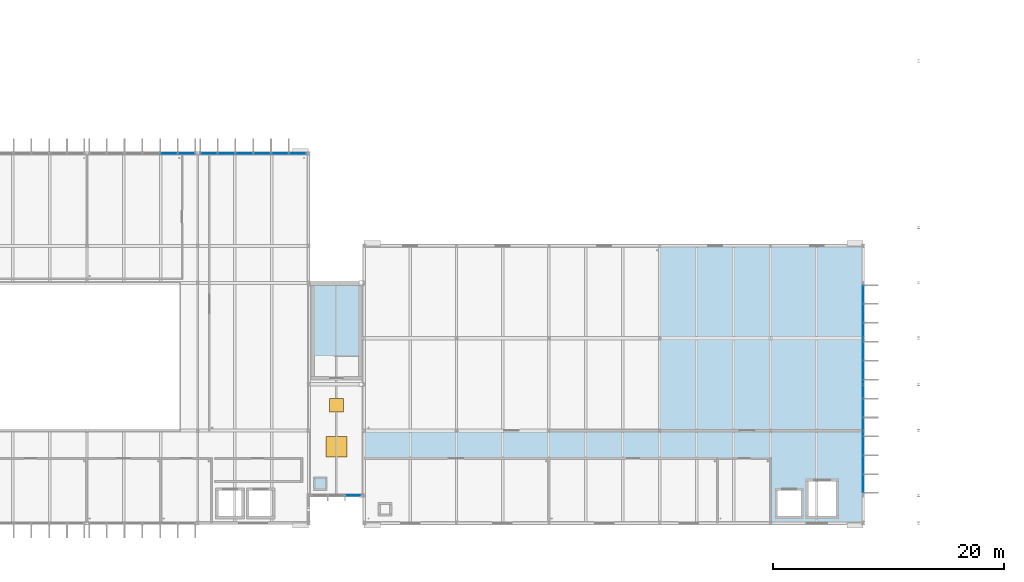
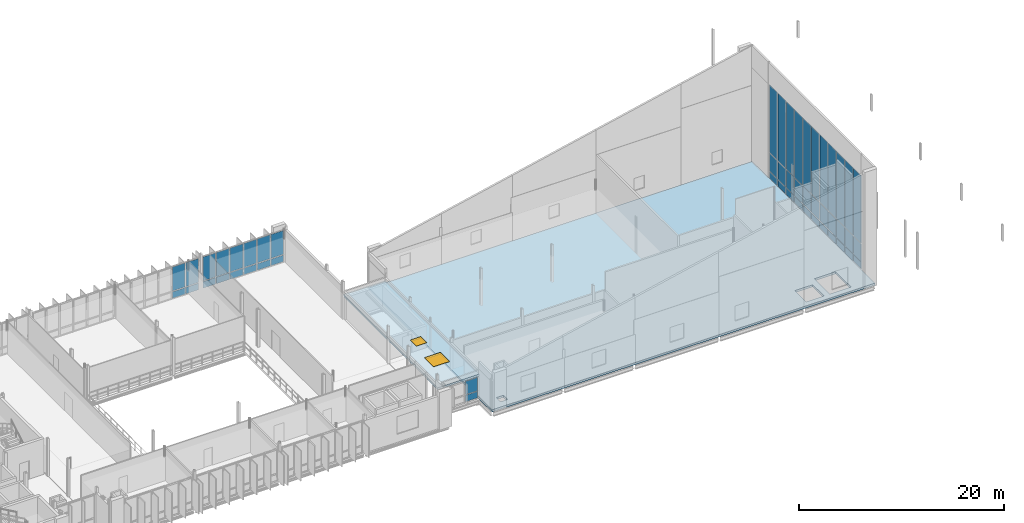
# One storey, part 30 of 59: 51 plates, 2 slabs, 2 windows, 2 openings, 4 elements without a shape of their own.
"""IFC4 building model written with IfcOpenShell, lengths in metres."""

from ifc_helpers import new_model, si_unit, direction, frame, origin, origin_2d, place, context, subcontext, project, spatial, polyline, rectangle, outline, extrude, material, layer, layer_set, type_object, element, fill, aggregate, save


model = new_model("IFC4")

# Units and contexts
model_context = context("Model", 3, precision=1e-05, world=origin(), true_north=direction((0.0, 1.0)))
body_context = subcontext(model_context, "Body", "Model", "MODEL_VIEW")
ifc_project = project(units=[si_unit("LENGTHUNIT", "METRE"), si_unit("AREAUNIT", "SQUARE_METRE"), si_unit("VOLUMEUNIT", "CUBIC_METRE"), si_unit("PLANEANGLEUNIT", "RADIAN"), si_unit("MASSUNIT", "GRAM", prefix="KILO")], contexts=[model_context])

# Site, building, storey
site_placement = place(None, origin())
site = spatial("IfcSite", under=ifc_project, at=site_placement, CompositionType="ELEMENT")
building_placement = place(site_placement, origin())
building = spatial("IfcBuilding", under=site, at=building_placement, Name="Dunescarp Central Library", CompositionType="ELEMENT")
storey_placement = place(building_placement, frame((0.0, 0.0, 18.60009765625)))
storey = spatial("IfcBuildingStorey", under=building, at=storey_placement, Name="L04", CompositionType="ELEMENT", Elevation=18.60009765625)

# Curtain wall, plates
ifc_material_1 = material(Name="Marine-grade anodised aluminium 6063-T6", Category="aluminium")
curtain_wall_type_1 = type_object("IfcCurtainWallType", Name="ARC-CW-STICK", PredefinedType="NOTDEFINED", material=ifc_material_1)
curtain_wall_1_placement = place(storey_placement, origin())
curtain_wall_1 = element("IfcCurtainWall", 1, at=curtain_wall_1_placement, inside=storey, type_object=curtain_wall_type_1, Name="L04 curtain wall CW-V2-072", PredefinedType="NOTDEFINED")
ifc_material_2 = material(Name="Solar-control laminated double glazing", Category="glass")
ifc_layer_1 = layer(ifc_material_2, 0.028076171875)
ifc_layer_set_1 = layer_set([ifc_layer_1], Name="Solar-control laminated double glazing")
plate_type_1 = type_object("IfcPlateType", Name="ARC-PLT-GLZ28", PredefinedType="CURTAIN_PANEL", material=ifc_layer_set_1)
plate_1_placement = place(storey_placement, frame((64.71240234375, 36.800048828125, 0.93994140625), z_axis=(0.0, 0.0, 1.0), x_axis=(1.0, 0.0, 0.0)))
plate_1 = element("IfcPlate", 2, at=plate_1_placement, type_object=plate_type_1, Name="CW-V2-072 panel 5.2", PredefinedType="CURTAIN_PANEL", context=body_context, shape_type="SweptSolid", body=[
    extrude(rectangle(XDim=1.461669921875, YDim=0.028076171875, at=origin_2d()), origin(), (0.0, 0.0, 1.0), 2.85888671875),
])
plate_2_placement = place(storey_placement, frame((66.234130859375, 36.800048828125, 0.93994140625), z_axis=(0.0, 0.0, 1.0), x_axis=(1.0, 0.0, 0.0)))
plate_2 = element("IfcPlate", 3, at=plate_2_placement, type_object=plate_type_1, Name="CW-V2-072 panel 6.2", PredefinedType="CURTAIN_PANEL", context=body_context, shape_type="SweptSolid", body=[
    extrude(rectangle(XDim=1.421630859375, YDim=0.028076171875, at=origin_2d()), origin(), (0.0, 0.0, 1.0), 2.85888671875),
])

curtain_wall_2_placement = place(storey_placement, origin())
curtain_wall_2 = element("IfcCurtainWall", 4, at=curtain_wall_2_placement, inside=storey, type_object=curtain_wall_type_1, Name="L04 curtain wall CW-V2-073", PredefinedType="NOTDEFINED")
plate_3_placement = place(storey_placement, frame((68.165771484375, 36.800048828125, 0.93994140625), z_axis=(0.0, 0.0, 1.0), x_axis=(1.0, 0.0, 0.0)))
plate_3 = element("IfcPlate", 5, at=plate_3_placement, type_object=plate_type_1, Name="CW-V2-073 panel 1.2", PredefinedType="CURTAIN_PANEL", context=body_context, shape_type="SweptSolid", body=[
    extrude(rectangle(XDim=1.421630859375, YDim=0.028076171875, at=origin_2d()), origin(), (0.0, 0.0, 1.0), 2.85888671875),
])
plate_4_placement = place(storey_placement, frame((69.6875, 36.800048828125, 0.93994140625), z_axis=(0.0, 0.0, 1.0), x_axis=(1.0, 0.0, 0.0)))
plate_4 = element("IfcPlate", 6, at=plate_4_placement, type_object=plate_type_1, Name="CW-V2-073 panel 2.2", PredefinedType="CURTAIN_PANEL", context=body_context, shape_type="SweptSolid", body=[
    extrude(rectangle(XDim=1.461669921875, YDim=0.028076171875, at=origin_2d()), origin(), (0.0, 0.0, 1.0), 2.85888671875),
])
plate_5_placement = place(storey_placement, frame((71.229248046875, 36.800048828125, 0.93994140625), z_axis=(0.0, 0.0, 1.0), x_axis=(1.0, 0.0, 0.0)))
plate_5 = element("IfcPlate", 7, at=plate_5_placement, type_object=plate_type_1, Name="CW-V2-073 panel 3.2", PredefinedType="CURTAIN_PANEL", context=body_context, shape_type="SweptSolid", body=[
    extrude(rectangle(XDim=1.461669921875, YDim=0.028076171875, at=origin_2d()), origin(), (0.0, 0.0, 1.0), 2.85888671875),
])
plate_6_placement = place(storey_placement, frame((72.770751953125, 36.800048828125, 0.93994140625), z_axis=(0.0, 0.0, 1.0), x_axis=(1.0, 0.0, 0.0)))
plate_6 = element("IfcPlate", 8, at=plate_6_placement, type_object=plate_type_1, Name="CW-V2-073 panel 4.2", PredefinedType="CURTAIN_PANEL", context=body_context, shape_type="SweptSolid", body=[
    extrude(rectangle(XDim=1.461669921875, YDim=0.028076171875, at=origin_2d()), origin(), (0.0, 0.0, 1.0), 2.85888671875),
])
plate_7_placement = place(storey_placement, frame((74.3125, 36.800048828125, 0.93994140625), z_axis=(0.0, 0.0, 1.0), x_axis=(1.0, 0.0, 0.0)))
plate_7 = element("IfcPlate", 9, at=plate_7_placement, type_object=plate_type_1, Name="CW-V2-073 panel 5.2", PredefinedType="CURTAIN_PANEL", context=body_context, shape_type="SweptSolid", body=[
    extrude(rectangle(XDim=1.461669921875, YDim=0.028076171875, at=origin_2d()), origin(), (0.0, 0.0, 1.0), 2.85888671875),
])
plate_8_placement = place(storey_placement, frame((75.834228515625, 36.800048828125, 0.93994140625), z_axis=(0.0, 0.0, 1.0), x_axis=(1.0, 0.0, 0.0)))
plate_8 = element("IfcPlate", 10, at=plate_8_placement, type_object=plate_type_1, Name="CW-V2-073 panel 6.2", PredefinedType="CURTAIN_PANEL", context=body_context, shape_type="SweptSolid", body=[
    extrude(rectangle(XDim=1.421630859375, YDim=0.028076171875, at=origin_2d()), origin(), (0.0, 0.0, 1.0), 2.85888671875),
])

curtain_wall_3_placement = place(storey_placement, origin())
curtain_wall_3 = element("IfcCurtainWall", 11, at=curtain_wall_3_placement, inside=storey, type_object=curtain_wall_type_1, Name="L04 curtain wall CW-V3-108", PredefinedType="NOTDEFINED")
plate_9_placement = place(storey_placement, frame((124.800048828125, 24.58447265625, 0.93994140625), z_axis=(0.0, 0.0, 1.0), x_axis=(0.0, -1.0, 0.0)))
plate_9 = element("IfcPlate", 12, at=plate_9_placement, type_object=plate_type_1, Name="CW-V3-108 panel 1.2", PredefinedType="CURTAIN_PANEL", context=body_context, shape_type="SweptSolid", body=[
    extrude(rectangle(XDim=1.52099609375, YDim=0.028076171875, at=origin_2d()), origin(), (0.0, 0.0, 1.0), 2.1201171875),
])
plate_10_placement = place(storey_placement, frame((124.800048828125, 24.58447265625, 3.14013671875), z_axis=(0.0, 0.0, 1.0), x_axis=(0.0, -1.0, 0.0)))
plate_10 = element("IfcPlate", 13, at=plate_10_placement, type_object=plate_type_1, Name="CW-V3-108 panel 1.3", PredefinedType="CURTAIN_PANEL", context=body_context, shape_type="SweptSolid", body=[
    extrude(rectangle(XDim=1.52099609375, YDim=0.028076171875, at=origin_2d()), origin(), (0.0, 0.0, 1.0), 8.073974609375),
])
plate_11_placement = place(storey_placement, frame((124.800048828125, 22.963623046875, 0.93994140625), z_axis=(0.0, 0.0, 1.0), x_axis=(0.0, -1.0, 0.0)))
plate_11 = element("IfcPlate", 14, at=plate_11_placement, type_object=plate_type_1, Name="CW-V3-108 panel 2.2", PredefinedType="CURTAIN_PANEL", context=body_context, shape_type="SweptSolid", body=[
    extrude(rectangle(XDim=1.560791015625, YDim=0.028076171875, at=origin_2d()), origin(), (0.0, 0.0, 1.0), 2.1201171875),
])
plate_12_placement = place(storey_placement, frame((124.800048828125, 22.963623046875, 3.14013671875), z_axis=(0.0, 0.0, 1.0), x_axis=(0.0, -1.0, 0.0)))
plate_12 = element("IfcPlate", 15, at=plate_12_placement, type_object=plate_type_1, Name="CW-V3-108 panel 2.3", PredefinedType="CURTAIN_PANEL", context=body_context, shape_type="SweptSolid", body=[
    extrude(rectangle(XDim=1.560791015625, YDim=0.028076171875, at=origin_2d()), origin(), (0.0, 0.0, 1.0), 8.073974609375),
])
plate_13_placement = place(storey_placement, frame((124.800048828125, 21.32275390625, 0.93994140625), z_axis=(0.0, 0.0, 1.0), x_axis=(0.0, -1.0, 0.0)))
plate_13 = element("IfcPlate", 16, at=plate_13_placement, type_object=plate_type_1, Name="CW-V3-108 panel 3.2", PredefinedType="CURTAIN_PANEL", context=body_context, shape_type="SweptSolid", body=[
    extrude(rectangle(XDim=1.560791015625, YDim=0.028076171875, at=origin_2d()), origin(), (0.0, 0.0, 1.0), 2.1201171875),
])
plate_14_placement = place(storey_placement, frame((124.800048828125, 21.32275390625, 3.14013671875), z_axis=(0.0, 0.0, 1.0), x_axis=(0.0, -1.0, 0.0)))
plate_14 = element("IfcPlate", 17, at=plate_14_placement, type_object=plate_type_1, Name="CW-V3-108 panel 3.3", PredefinedType="CURTAIN_PANEL", context=body_context, shape_type="SweptSolid", body=[
    extrude(rectangle(XDim=1.560791015625, YDim=0.028076171875, at=origin_2d()), origin(), (0.0, 0.0, 1.0), 8.073974609375),
])
plate_15_placement = place(storey_placement, frame((124.800048828125, 19.681884765625, 0.93994140625), z_axis=(0.0, 0.0, 1.0), x_axis=(0.0, -1.0, 0.0)))
plate_15 = element("IfcPlate", 18, at=plate_15_placement, type_object=plate_type_1, Name="CW-V3-108 panel 4.2", PredefinedType="CURTAIN_PANEL", context=body_context, shape_type="SweptSolid", body=[
    extrude(rectangle(XDim=1.560791015625, YDim=0.028076171875, at=origin_2d()), origin(), (0.0, 0.0, 1.0), 2.1201171875),
])
plate_16_placement = place(storey_placement, frame((124.800048828125, 19.681884765625, 3.14013671875), z_axis=(0.0, 0.0, 1.0), x_axis=(0.0, -1.0, 0.0)))
plate_16 = element("IfcPlate", 19, at=plate_16_placement, type_object=plate_type_1, Name="CW-V3-108 panel 4.3", PredefinedType="CURTAIN_PANEL", context=body_context, shape_type="SweptSolid", body=[
    extrude(rectangle(XDim=1.560791015625, YDim=0.028076171875, at=origin_2d()), origin(), (0.0, 0.0, 1.0), 8.073974609375),
])
plate_17_placement = place(storey_placement, frame((124.800048828125, 18.041015625, 0.93994140625), z_axis=(0.0, 0.0, 1.0), x_axis=(0.0, -1.0, 0.0)))
plate_17 = element("IfcPlate", 20, at=plate_17_placement, type_object=plate_type_1, Name="CW-V3-108 panel 5.2", PredefinedType="CURTAIN_PANEL", context=body_context, shape_type="SweptSolid", body=[
    extrude(rectangle(XDim=1.560791015625, YDim=0.028076171875, at=origin_2d()), origin(), (0.0, 0.0, 1.0), 2.1201171875),
])
plate_18_placement = place(storey_placement, frame((124.800048828125, 18.041015625, 3.14013671875), z_axis=(0.0, 0.0, 1.0), x_axis=(0.0, -1.0, 0.0)))
plate_18 = element("IfcPlate", 21, at=plate_18_placement, type_object=plate_type_1, Name="CW-V3-108 panel 5.3", PredefinedType="CURTAIN_PANEL", context=body_context, shape_type="SweptSolid", body=[
    extrude(rectangle(XDim=1.560791015625, YDim=0.028076171875, at=origin_2d()), origin(), (0.0, 0.0, 1.0), 8.073974609375),
])
plate_19_placement = place(storey_placement, frame((124.800048828125, 16.39990234375, 0.93994140625), z_axis=(0.0, 0.0, 1.0), x_axis=(0.0, -1.0, 0.0)))
plate_19 = element("IfcPlate", 22, at=plate_19_placement, type_object=plate_type_1, Name="CW-V3-108 panel 6.2", PredefinedType="CURTAIN_PANEL", context=body_context, shape_type="SweptSolid", body=[
    extrude(rectangle(XDim=1.560791015625, YDim=0.028076171875, at=origin_2d()), origin(), (0.0, 0.0, 1.0), 2.1201171875),
])
plate_20_placement = place(storey_placement, frame((124.800048828125, 16.39990234375, 3.14013671875), z_axis=(0.0, 0.0, 1.0), x_axis=(0.0, -1.0, 0.0)))
plate_20 = element("IfcPlate", 23, at=plate_20_placement, type_object=plate_type_1, Name="CW-V3-108 panel 6.3", PredefinedType="CURTAIN_PANEL", context=body_context, shape_type="SweptSolid", body=[
    extrude(rectangle(XDim=1.560791015625, YDim=0.028076171875, at=origin_2d()), origin(), (0.0, 0.0, 1.0), 8.073974609375),
])
plate_21_placement = place(storey_placement, frame((124.800048828125, 14.759033203125, 0.93994140625), z_axis=(0.0, 0.0, 1.0), x_axis=(0.0, -1.0, 0.0)))
plate_21 = element("IfcPlate", 24, at=plate_21_placement, type_object=plate_type_1, Name="CW-V3-108 panel 7.2", PredefinedType="CURTAIN_PANEL", context=body_context, shape_type="SweptSolid", body=[
    extrude(rectangle(XDim=1.560791015625, YDim=0.028076171875, at=origin_2d()), origin(), (0.0, 0.0, 1.0), 2.1201171875),
])
plate_22_placement = place(storey_placement, frame((124.800048828125, 14.759033203125, 3.14013671875), z_axis=(0.0, 0.0, 1.0), x_axis=(0.0, -1.0, 0.0)))
plate_22 = element("IfcPlate", 25, at=plate_22_placement, type_object=plate_type_1, Name="CW-V3-108 panel 7.3", PredefinedType="CURTAIN_PANEL", context=body_context, shape_type="SweptSolid", body=[
    extrude(rectangle(XDim=1.560791015625, YDim=0.028076171875, at=origin_2d()), origin(), (0.0, 0.0, 1.0), 8.073974609375),
])
plate_23_placement = place(storey_placement, frame((124.800048828125, 13.1181640625, 0.93994140625), z_axis=(0.0, 0.0, 1.0), x_axis=(0.0, -1.0, 0.0)))
plate_23 = element("IfcPlate", 26, at=plate_23_placement, type_object=plate_type_1, Name="CW-V3-108 panel 8.2", PredefinedType="CURTAIN_PANEL", context=body_context, shape_type="SweptSolid", body=[
    extrude(rectangle(XDim=1.560791015625, YDim=0.028076171875, at=origin_2d()), origin(), (0.0, 0.0, 1.0), 2.1201171875),
])
plate_24_placement = place(storey_placement, frame((124.800048828125, 13.1181640625, 3.14013671875), z_axis=(0.0, 0.0, 1.0), x_axis=(0.0, -1.0, 0.0)))
plate_24 = element("IfcPlate", 27, at=plate_24_placement, type_object=plate_type_1, Name="CW-V3-108 panel 8.3", PredefinedType="CURTAIN_PANEL", context=body_context, shape_type="SweptSolid", body=[
    extrude(rectangle(XDim=1.560791015625, YDim=0.028076171875, at=origin_2d()), origin(), (0.0, 0.0, 1.0), 8.073974609375),
])
plate_25_placement = place(storey_placement, frame((124.800048828125, 11.477294921875, 0.93994140625), z_axis=(0.0, 0.0, 1.0), x_axis=(0.0, -1.0, 0.0)))
plate_25 = element("IfcPlate", 28, at=plate_25_placement, type_object=plate_type_1, Name="CW-V3-108 panel 9.2", PredefinedType="CURTAIN_PANEL", context=body_context, shape_type="SweptSolid", body=[
    extrude(rectangle(XDim=1.560791015625, YDim=0.028076171875, at=origin_2d()), origin(), (0.0, 0.0, 1.0), 2.1201171875),
])
plate_26_placement = place(storey_placement, frame((124.800048828125, 11.477294921875, 3.14013671875), z_axis=(0.0, 0.0, 1.0), x_axis=(0.0, -1.0, 0.0)))
plate_26 = element("IfcPlate", 29, at=plate_26_placement, type_object=plate_type_1, Name="CW-V3-108 panel 9.3", PredefinedType="CURTAIN_PANEL", context=body_context, shape_type="SweptSolid", body=[
    extrude(rectangle(XDim=1.560791015625, YDim=0.028076171875, at=origin_2d()), origin(), (0.0, 0.0, 1.0), 8.073974609375),
])
plate_27_placement = place(storey_placement, frame((124.800048828125, 9.83642578125, 0.93994140625), z_axis=(0.0, 0.0, 1.0), x_axis=(0.0, -1.0, 0.0)))
plate_27 = element("IfcPlate", 30, at=plate_27_placement, type_object=plate_type_1, Name="CW-V3-108 panel 10.2", PredefinedType="CURTAIN_PANEL", context=body_context, shape_type="SweptSolid", body=[
    extrude(rectangle(XDim=1.560791015625, YDim=0.028076171875, at=origin_2d()), origin(), (0.0, 0.0, 1.0), 2.1201171875),
])
plate_28_placement = place(storey_placement, frame((124.800048828125, 9.83642578125, 3.14013671875), z_axis=(0.0, 0.0, 1.0), x_axis=(0.0, -1.0, 0.0)))
plate_28 = element("IfcPlate", 31, at=plate_28_placement, type_object=plate_type_1, Name="CW-V3-108 panel 10.3", PredefinedType="CURTAIN_PANEL", context=body_context, shape_type="SweptSolid", body=[
    extrude(rectangle(XDim=1.560791015625, YDim=0.028076171875, at=origin_2d()), origin(), (0.0, 0.0, 1.0), 8.073974609375),
])
plate_29_placement = place(storey_placement, frame((124.800048828125, 8.215576171875, 0.93994140625), z_axis=(0.0, 0.0, 1.0), x_axis=(0.0, -1.0, 0.0)))
plate_29 = element("IfcPlate", 32, at=plate_29_placement, type_object=plate_type_1, Name="CW-V3-108 panel 11.2", PredefinedType="CURTAIN_PANEL", context=body_context, shape_type="SweptSolid", body=[
    extrude(rectangle(XDim=1.52099609375, YDim=0.028076171875, at=origin_2d()), origin(), (0.0, 0.0, 1.0), 2.1201171875),
])
plate_30_placement = place(storey_placement, frame((124.800048828125, 8.215576171875, 3.14013671875), z_axis=(0.0, 0.0, 1.0), x_axis=(0.0, -1.0, 0.0)))
plate_30 = element("IfcPlate", 33, at=plate_30_placement, type_object=plate_type_1, Name="CW-V3-108 panel 11.3", PredefinedType="CURTAIN_PANEL", context=body_context, shape_type="SweptSolid", body=[
    extrude(rectangle(XDim=1.52099609375, YDim=0.028076171875, at=origin_2d()), origin(), (0.0, 0.0, 1.0), 8.073974609375),
])

# Curtain wall, plate
curtain_wall_type_2 = type_object("IfcCurtainWallType", Name="ARC-CW-LINK", PredefinedType="USERDEFINED", material=ifc_material_1)
curtain_wall_4_placement = place(storey_placement, origin())
curtain_wall_4 = element("IfcCurtainWall", 34, at=curtain_wall_4_placement, inside=storey, type_object=curtain_wall_type_2, Name="L04 curtain wall CW-GL2-S-L04", ObjectType="GLAZED_LINK_WALL", PredefinedType="USERDEFINED")
plate_31_placement = place(storey_placement, frame((80.663330078125, 7.199951171875, 0.93994140625), z_axis=(0.0, 0.0, 1.0), x_axis=(-1.0, 0.0, 0.0)))
plate_31 = element("IfcPlate", 35, at=plate_31_placement, type_object=plate_type_1, Name="CW-GL2-S-L04 panel 1.2", PredefinedType="CURTAIN_PANEL", context=body_context, shape_type="SweptSolid", body=[
    extrude(rectangle(XDim=1.36328125, YDim=0.028076171875, at=origin_2d()), origin(), (0.0, 0.0, 1.0), 1.580078125),
])

# Plate
ifc_layer_2 = layer(ifc_material_1, 0.050048828125)
ifc_layer_set_2 = layer_set([ifc_layer_2], Name="Marine-grade anodised aluminium 6063-T6")
plate_type_2 = type_object("IfcPlateType", Name="ARC-PLT-SPN50", PredefinedType="SHEET", material=ifc_layer_set_2)
plate_32_placement = place(storey_placement, frame((64.71240234375, 36.800048828125, 0.080078125), z_axis=(0.0, 0.0, 1.0), x_axis=(1.0, 0.0, 0.0)))
plate_32 = element("IfcPlate", 36, at=plate_32_placement, type_object=plate_type_2, Name="CW-V2-072 panel 5.1", PredefinedType="SHEET", context=body_context, shape_type="SweptSolid", body=[
    extrude(rectangle(XDim=1.461669921875, YDim=0.050048828125, at=origin_2d()), origin(), (0.0, 0.0, 1.0), 0.780029296875),
])

plate_33_placement = place(storey_placement, frame((66.234130859375, 36.800048828125, 0.080078125), z_axis=(0.0, 0.0, 1.0), x_axis=(1.0, 0.0, 0.0)))
plate_33 = element("IfcPlate", 37, at=plate_33_placement, type_object=plate_type_2, Name="CW-V2-072 panel 6.1", PredefinedType="SHEET", context=body_context, shape_type="SweptSolid", body=[
    extrude(rectangle(XDim=1.421630859375, YDim=0.050048828125, at=origin_2d()), origin(), (0.0, 0.0, 1.0), 0.780029296875),
])

aggregate(curtain_wall_1, [plate_32, plate_1, plate_33, plate_2])

plate_34_placement = place(storey_placement, frame((68.165771484375, 36.800048828125, 0.080078125), z_axis=(0.0, 0.0, 1.0), x_axis=(1.0, 0.0, 0.0)))
plate_34 = element("IfcPlate", 38, at=plate_34_placement, type_object=plate_type_2, Name="CW-V2-073 panel 1.1", PredefinedType="SHEET", context=body_context, shape_type="SweptSolid", body=[
    extrude(rectangle(XDim=1.421630859375, YDim=0.050048828125, at=origin_2d()), origin(), (0.0, 0.0, 1.0), 0.780029296875),
])

plate_35_placement = place(storey_placement, frame((69.6875, 36.800048828125, 0.080078125), z_axis=(0.0, 0.0, 1.0), x_axis=(1.0, 0.0, 0.0)))
plate_35 = element("IfcPlate", 39, at=plate_35_placement, type_object=plate_type_2, Name="CW-V2-073 panel 2.1", PredefinedType="SHEET", context=body_context, shape_type="SweptSolid", body=[
    extrude(rectangle(XDim=1.461669921875, YDim=0.050048828125, at=origin_2d()), origin(), (0.0, 0.0, 1.0), 0.780029296875),
])

plate_36_placement = place(storey_placement, frame((71.229248046875, 36.800048828125, 0.080078125), z_axis=(0.0, 0.0, 1.0), x_axis=(1.0, 0.0, 0.0)))
plate_36 = element("IfcPlate", 40, at=plate_36_placement, type_object=plate_type_2, Name="CW-V2-073 panel 3.1", PredefinedType="SHEET", context=body_context, shape_type="SweptSolid", body=[
    extrude(rectangle(XDim=1.461669921875, YDim=0.050048828125, at=origin_2d()), origin(), (0.0, 0.0, 1.0), 0.780029296875),
])

plate_37_placement = place(storey_placement, frame((72.770751953125, 36.800048828125, 0.080078125), z_axis=(0.0, 0.0, 1.0), x_axis=(1.0, 0.0, 0.0)))
plate_37 = element("IfcPlate", 41, at=plate_37_placement, type_object=plate_type_2, Name="CW-V2-073 panel 4.1", PredefinedType="SHEET", context=body_context, shape_type="SweptSolid", body=[
    extrude(rectangle(XDim=1.461669921875, YDim=0.050048828125, at=origin_2d()), origin(), (0.0, 0.0, 1.0), 0.780029296875),
])

plate_38_placement = place(storey_placement, frame((74.3125, 36.800048828125, 0.080078125), z_axis=(0.0, 0.0, 1.0), x_axis=(1.0, 0.0, 0.0)))
plate_38 = element("IfcPlate", 42, at=plate_38_placement, type_object=plate_type_2, Name="CW-V2-073 panel 5.1", PredefinedType="SHEET", context=body_context, shape_type="SweptSolid", body=[
    extrude(rectangle(XDim=1.461669921875, YDim=0.050048828125, at=origin_2d()), origin(), (0.0, 0.0, 1.0), 0.780029296875),
])

plate_39_placement = place(storey_placement, frame((75.834228515625, 36.800048828125, 0.080078125), z_axis=(0.0, 0.0, 1.0), x_axis=(1.0, 0.0, 0.0)))
plate_39 = element("IfcPlate", 43, at=plate_39_placement, type_object=plate_type_2, Name="CW-V2-073 panel 6.1", PredefinedType="SHEET", context=body_context, shape_type="SweptSolid", body=[
    extrude(rectangle(XDim=1.421630859375, YDim=0.050048828125, at=origin_2d()), origin(), (0.0, 0.0, 1.0), 0.780029296875),
])

aggregate(curtain_wall_2, [plate_34, plate_3, plate_35, plate_4, plate_36, plate_5, plate_37, plate_6, plate_38, plate_7, plate_39, plate_8])

plate_40_placement = place(storey_placement, frame((124.800048828125, 24.58447265625, 0.080078125), z_axis=(0.0, 0.0, 1.0), x_axis=(0.0, -1.0, 0.0)))
plate_40 = element("IfcPlate", 44, at=plate_40_placement, type_object=plate_type_2, Name="CW-V3-108 panel 1.1", PredefinedType="SHEET", context=body_context, shape_type="SweptSolid", body=[
    extrude(rectangle(XDim=1.52099609375, YDim=0.050048828125, at=origin_2d()), origin(), (0.0, 0.0, 1.0), 0.780029296875),
])

plate_41_placement = place(storey_placement, frame((124.800048828125, 22.963623046875, 0.080078125), z_axis=(0.0, 0.0, 1.0), x_axis=(0.0, -1.0, 0.0)))
plate_41 = element("IfcPlate", 45, at=plate_41_placement, type_object=plate_type_2, Name="CW-V3-108 panel 2.1", PredefinedType="SHEET", context=body_context, shape_type="SweptSolid", body=[
    extrude(rectangle(XDim=1.560791015625, YDim=0.050048828125, at=origin_2d()), origin(), (0.0, 0.0, 1.0), 0.780029296875),
])

plate_42_placement = place(storey_placement, frame((124.800048828125, 21.32275390625, 0.080078125), z_axis=(0.0, 0.0, 1.0), x_axis=(0.0, -1.0, 0.0)))
plate_42 = element("IfcPlate", 46, at=plate_42_placement, type_object=plate_type_2, Name="CW-V3-108 panel 3.1", PredefinedType="SHEET", context=body_context, shape_type="SweptSolid", body=[
    extrude(rectangle(XDim=1.560791015625, YDim=0.050048828125, at=origin_2d()), origin(), (0.0, 0.0, 1.0), 0.780029296875),
])

plate_43_placement = place(storey_placement, frame((124.800048828125, 19.681884765625, 0.080078125), z_axis=(0.0, 0.0, 1.0), x_axis=(0.0, -1.0, 0.0)))
plate_43 = element("IfcPlate", 47, at=plate_43_placement, type_object=plate_type_2, Name="CW-V3-108 panel 4.1", PredefinedType="SHEET", context=body_context, shape_type="SweptSolid", body=[
    extrude(rectangle(XDim=1.560791015625, YDim=0.050048828125, at=origin_2d()), origin(), (0.0, 0.0, 1.0), 0.780029296875),
])

plate_44_placement = place(storey_placement, frame((124.800048828125, 18.041015625, 0.080078125), z_axis=(0.0, 0.0, 1.0), x_axis=(0.0, -1.0, 0.0)))
plate_44 = element("IfcPlate", 48, at=plate_44_placement, type_object=plate_type_2, Name="CW-V3-108 panel 5.1", PredefinedType="SHEET", context=body_context, shape_type="SweptSolid", body=[
    extrude(rectangle(XDim=1.560791015625, YDim=0.050048828125, at=origin_2d()), origin(), (0.0, 0.0, 1.0), 0.780029296875),
])

plate_45_placement = place(storey_placement, frame((124.800048828125, 16.39990234375, 0.080078125), z_axis=(0.0, 0.0, 1.0), x_axis=(0.0, -1.0, 0.0)))
plate_45 = element("IfcPlate", 49, at=plate_45_placement, type_object=plate_type_2, Name="CW-V3-108 panel 6.1", PredefinedType="SHEET", context=body_context, shape_type="SweptSolid", body=[
    extrude(rectangle(XDim=1.560791015625, YDim=0.050048828125, at=origin_2d()), origin(), (0.0, 0.0, 1.0), 0.780029296875),
])

plate_46_placement = place(storey_placement, frame((124.800048828125, 14.759033203125, 0.080078125), z_axis=(0.0, 0.0, 1.0), x_axis=(0.0, -1.0, 0.0)))
plate_46 = element("IfcPlate", 50, at=plate_46_placement, type_object=plate_type_2, Name="CW-V3-108 panel 7.1", PredefinedType="SHEET", context=body_context, shape_type="SweptSolid", body=[
    extrude(rectangle(XDim=1.560791015625, YDim=0.050048828125, at=origin_2d()), origin(), (0.0, 0.0, 1.0), 0.780029296875),
])

plate_47_placement = place(storey_placement, frame((124.800048828125, 13.1181640625, 0.080078125), z_axis=(0.0, 0.0, 1.0), x_axis=(0.0, -1.0, 0.0)))
plate_47 = element("IfcPlate", 51, at=plate_47_placement, type_object=plate_type_2, Name="CW-V3-108 panel 8.1", PredefinedType="SHEET", context=body_context, shape_type="SweptSolid", body=[
    extrude(rectangle(XDim=1.560791015625, YDim=0.050048828125, at=origin_2d()), origin(), (0.0, 0.0, 1.0), 0.780029296875),
])

plate_48_placement = place(storey_placement, frame((124.800048828125, 11.477294921875, 0.080078125), z_axis=(0.0, 0.0, 1.0), x_axis=(0.0, -1.0, 0.0)))
plate_48 = element("IfcPlate", 52, at=plate_48_placement, type_object=plate_type_2, Name="CW-V3-108 panel 9.1", PredefinedType="SHEET", context=body_context, shape_type="SweptSolid", body=[
    extrude(rectangle(XDim=1.560791015625, YDim=0.050048828125, at=origin_2d()), origin(), (0.0, 0.0, 1.0), 0.780029296875),
])

plate_49_placement = place(storey_placement, frame((124.800048828125, 9.83642578125, 0.080078125), z_axis=(0.0, 0.0, 1.0), x_axis=(0.0, -1.0, 0.0)))
plate_49 = element("IfcPlate", 53, at=plate_49_placement, type_object=plate_type_2, Name="CW-V3-108 panel 10.1", PredefinedType="SHEET", context=body_context, shape_type="SweptSolid", body=[
    extrude(rectangle(XDim=1.560791015625, YDim=0.050048828125, at=origin_2d()), origin(), (0.0, 0.0, 1.0), 0.780029296875),
])

plate_50_placement = place(storey_placement, frame((124.800048828125, 8.215576171875, 0.080078125), z_axis=(0.0, 0.0, 1.0), x_axis=(0.0, -1.0, 0.0)))
plate_50 = element("IfcPlate", 54, at=plate_50_placement, type_object=plate_type_2, Name="CW-V3-108 panel 11.1", PredefinedType="SHEET", context=body_context, shape_type="SweptSolid", body=[
    extrude(rectangle(XDim=1.52099609375, YDim=0.050048828125, at=origin_2d()), origin(), (0.0, 0.0, 1.0), 0.780029296875),
])

aggregate(curtain_wall_3, [plate_40, plate_9, plate_10, plate_41, plate_11, plate_12, plate_42, plate_13, plate_14, plate_43, plate_15, plate_16, plate_44, plate_17, plate_18, plate_45, plate_19, plate_20, plate_46, plate_21, plate_22, plate_47, plate_23, plate_24, plate_48, plate_25, plate_26, plate_49, plate_27, plate_28, plate_50, plate_29, plate_30])

plate_51_placement = place(storey_placement, frame((80.663330078125, 7.199951171875, 0.080078125), z_axis=(0.0, 0.0, 1.0), x_axis=(-1.0, 0.0, 0.0)))
plate_51 = element("IfcPlate", 55, at=plate_51_placement, type_object=plate_type_2, Name="CW-GL2-S-L04 panel 1.1", PredefinedType="SHEET", context=body_context, shape_type="SweptSolid", body=[
    extrude(rectangle(XDim=1.36328125, YDim=0.050048828125, at=origin_2d()), origin(), (0.0, 0.0, 1.0), 0.780029296875),
])

aggregate(curtain_wall_4, [plate_51, plate_31])

# Slab, openings, windows
ifc_material_3 = material(Name="Concrete C35/45", Category="concrete")
ifc_layer_3 = layer(ifc_material_3, 0.199951171875)
ifc_layer_set_3 = layer_set([ifc_layer_3], Name="Concrete C35/45")
slab_type_1 = type_object("IfcSlabType", Name="STR-SLB-ROOF200", PredefinedType="ROOF", material=ifc_layer_set_3)
slab_1_placement = place(storey_placement, frame((0.0, 0.0, 2.599853515625)))
slab_1 = element("IfcSlab", 56, at=slab_1_placement, inside=storey, type_object=slab_type_1, Name="L04 flat roof slab GL2", PredefinedType="ROOF", context=body_context, shape_type="SweptSolid", body=[
    extrude(outline(polyline([(76.85009765625, 7.199951171875), (81.550048828125, 7.199951171875), (81.550048828125, 25.60009765625), (76.85009765625, 25.60009765625), (76.85009765625, 7.199951171875)])), origin(), (0.0, 0.0, 1.0), 0.25),
])
opening_1_placement = place(slab_1_placement, frame((79.199951171875, 11.39990234375, -0.010009765625)))
opening_1 = element("IfcOpeningElement", 57, at=opening_1_placement, cuts=slab_1, Name="Opening SKY-02", PredefinedType="OPENING", context=body_context, shape_type="SweptSolid", body=[
    extrude(rectangle(XDim=1.800048828125, YDim=1.800048828125, at=origin_2d()), origin(), (0.0, 0.0, 1.0), 0.27001953125),
])
opening_2_placement = place(slab_1_placement, frame((79.199951171875, 15.0, -0.010009765625)))
opening_2 = element("IfcOpeningElement", 58, at=opening_2_placement, cuts=slab_1, Name="Opening SKY-12", PredefinedType="OPENING", context=body_context, shape_type="SweptSolid", body=[
    extrude(rectangle(XDim=1.199951171875, YDim=1.199951171875, at=origin_2d()), origin(), (0.0, 0.0, 1.0), 0.27001953125),
])
window_type_1 = type_object("IfcWindowType", Name="ARC-WN-SKY1200", PartitioningType="SINGLE_PANEL", PredefinedType="SKYLIGHT", material=ifc_material_2)
window_1_placement = place(slab_1_placement, frame((79.199951171875, 15.0, 0.199951171875)))
window_1 = element("IfcWindow", 59, at=window_1_placement, inside=storey, type_object=window_type_1, Name="L04 roof smoke-vent skylight SKY-12", OverallHeight=1.199951171875, OverallWidth=1.199951171875, PartitioningType="SINGLE_PANEL", PredefinedType="SKYLIGHT", context=body_context, shape_type="SweptSolid", body=[
    extrude(rectangle(XDim=1.199951171875, YDim=1.199951171875, at=origin_2d()), origin(), (0.0, 0.0, 1.0), 0.050048828125),
])
fill(opening_2, window_1)
window_type_2 = type_object("IfcWindowType", Name="ARC-WN-SKY1800", PartitioningType="SINGLE_PANEL", PredefinedType="SKYLIGHT", material=ifc_material_2)
window_2_placement = place(slab_1_placement, frame((79.199951171875, 11.39990234375, 0.199951171875)))
window_2 = element("IfcWindow", 60, at=window_2_placement, inside=storey, type_object=window_type_2, Name="L04 roof skylight SKY-02", OverallHeight=1.800048828125, OverallWidth=1.800048828125, PartitioningType="SINGLE_PANEL", PredefinedType="SKYLIGHT", context=body_context, shape_type="SweptSolid", body=[
    extrude(rectangle(XDim=1.800048828125, YDim=1.800048828125, at=origin_2d()), origin(), (0.0, 0.0, 1.0), 0.050048828125),
])
fill(opening_1, window_2)

# Slab
ifc_layer_4 = layer(ifc_material_3, 0.25)
ifc_layer_set_4 = layer_set([ifc_layer_4], Name="Concrete C35/45")
slab_type_2 = type_object("IfcSlabType", Name="STR-SLB-VAULT250", PredefinedType="FLOOR", material=ifc_layer_set_4)
slab_2_placement = place(storey_placement, frame((0.0, 0.0, -0.25)))
element("IfcSlab", 61, at=slab_2_placement, inside=storey, type_object=slab_type_2, Name="L04 V3 slab", PredefinedType="FLOOR", context=body_context, shape_type="SweptSolid", body=[
    extrude(outline(polyline([(81.60009765625, 4.800048828125), (124.800048828125, 4.800048828125), (124.800048828125, 28.800048828125), (81.60009765625, 28.800048828125), (81.60009765625, 4.800048828125)]), holes=[polyline([(117.39990234375, 5.39990234375), (119.39990234375, 5.39990234375), (119.39990234375, 7.60009765625), (117.39990234375, 7.60009765625), (117.39990234375, 5.39990234375)]), polyline([(120.050048828125, 5.39990234375), (122.449951171875, 5.39990234375), (122.449951171875, 8.39990234375), (120.050048828125, 8.39990234375), (120.050048828125, 5.39990234375)]), polyline([(83.0, 5.60009765625), (83.800048828125, 5.60009765625), (83.800048828125, 6.39990234375), (83.0, 6.39990234375), (83.0, 5.60009765625)])]), origin(), (0.0, 0.0, 1.0), 0.25),
])

save(model, "model.ifc")
